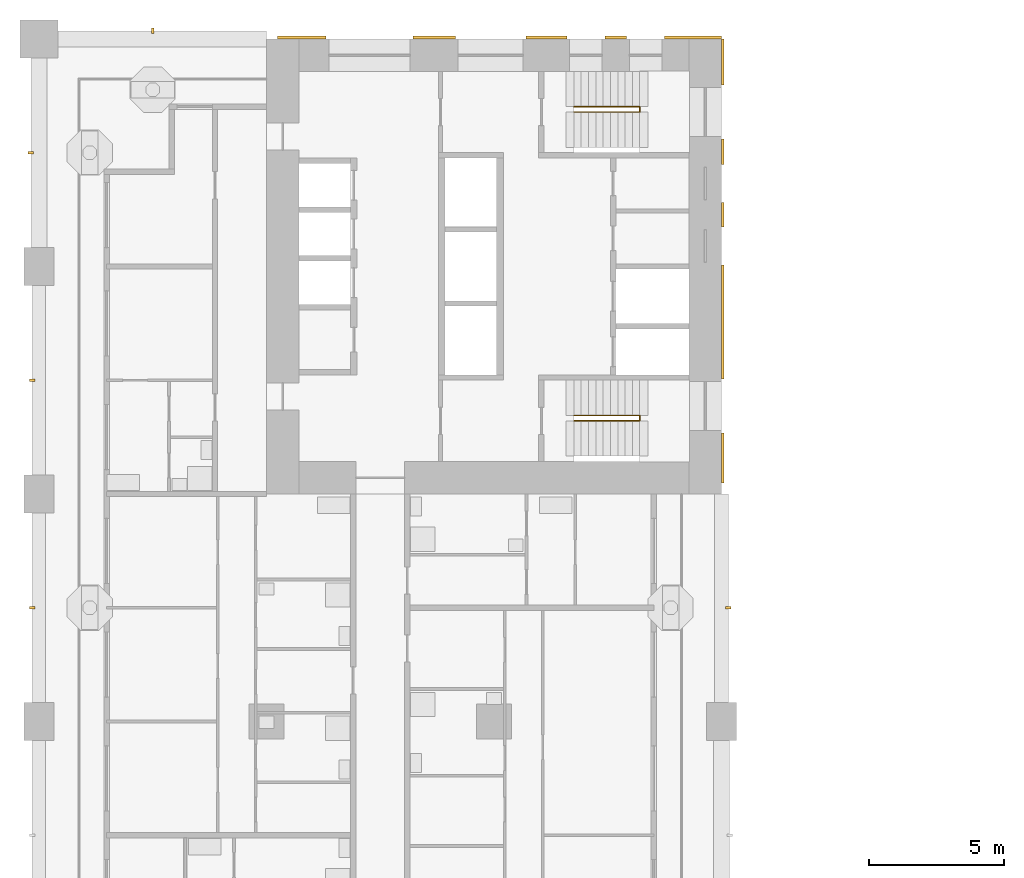
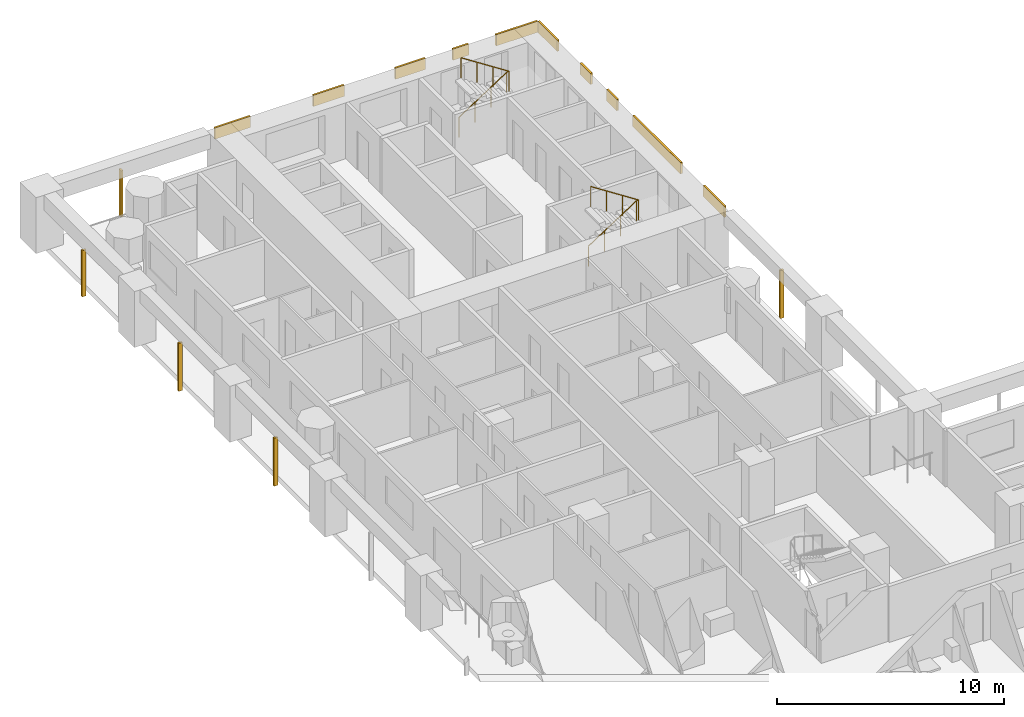
# One storey, part 16 of 21: 15 shading devices, 2 railings.
"""IFC4 building model written with IfcOpenShell, lengths in metres."""

from ifc_helpers import new_model, si_unit, direction, frame, origin, origin_2d, place, context, subcontext, project, spatial, rectangle, circle, extrude, material, layer, layer_set, material_profile, profile_set, type_object, element, save


model = new_model("IFC4")

# Units and contexts
model_context = context("Model", 3, precision=1e-05, world=origin(), true_north=direction((0.0, 1.0)))
body_context = subcontext(model_context, "Body", "Model", "MODEL_VIEW")
ifc_project = project(units=[si_unit("LENGTHUNIT", "METRE"), si_unit("AREAUNIT", "SQUARE_METRE"), si_unit("VOLUMEUNIT", "CUBIC_METRE"), si_unit("PLANEANGLEUNIT", "RADIAN"), si_unit("MASSUNIT", "GRAM", prefix="KILO")], contexts=[model_context])

# Site, building, storey
site_placement = place(None, origin())
site = spatial("IfcSite", under=ifc_project, at=site_placement, CompositionType="ELEMENT")
building_placement = place(site_placement, origin())
building = spatial("IfcBuilding", under=site, at=building_placement, Name="Vermilion Gate Residences", CompositionType="ELEMENT")
storey_placement = place(building_placement, frame((0.0, 0.0, 70.699951171875)))
storey = spatial("IfcBuildingStorey", under=building, at=storey_placement, Name="L17", CompositionType="ELEMENT", Elevation=70.699951171875)

# Railings
ifc_material_1 = material(Name="Steel S355", Category="steel")
railing_type = type_object("IfcRailingType", Name="STAIR GUARD 1100 STEEL", PredefinedType="GUARDRAIL", material=ifc_material_1)
for number, where, name in (
    (1, (19.75, 56.300048828125, 0.175048828125), "Stair well guard STB1-17"),
    (2, (19.75, 44.89990234375, 0.175048828125), "Stair well guard STB2-17"),
):
    element("IfcRailing", number, at=place(storey_placement, frame(where)), inside=storey, type_object=railing_type, Name=name, PredefinedType="GUARDRAIL", context=body_context, shape_type="SweptSolid", body=[
        extrude(circle(Radius=0.02392578125, at=origin_2d()), frame((0.0, 0.0, 1.076171875), z_axis=(0.839153699163, 0.0, 0.543894354798), x_axis=(0.0, 1.0, 0.0)), (0.0, 0.0, 1.0), 2.895751953125),
        extrude(circle(Radius=0.02392578125, at=origin_2d()), frame((2.429931640625, 0.0, 2.65087890625), z_axis=(0.0, -0.752405939678, 0.658699705433), x_axis=(1.0, 0.0, 0.0)), (0.0, 0.0, 1.0), 0.265869140625),
        extrude(circle(Radius=0.02392578125, at=origin_2d()), frame((2.429931640625, -0.199951171875, 2.826171875), z_axis=(-0.839153699163, 0.0, 0.543894354798), x_axis=(0.0, -1.0, 0.0)), (0.0, 0.0, 1.0), 2.895751953125),
        extrude(circle(Radius=0.02099609375, at=origin_2d()), origin(), (0.0, 0.0, 1.0), 1.052001953125),
        extrude(circle(Radius=0.02099609375, at=origin_2d()), frame((0.81005859375, 0.0, 0.52490234375)), (0.0, 0.0, 1.0), 1.052001953125),
        extrude(circle(Radius=0.02099609375, at=origin_2d()), frame((1.619873046875, 0.0, 1.050048828125)), (0.0, 0.0, 1.0), 1.052001953125),
        extrude(circle(Radius=0.02099609375, at=origin_2d()), frame((2.429931640625, 0.0, 1.574951171875)), (0.0, 0.0, 1.0), 1.052001953125),
        extrude(circle(Radius=0.02099609375, at=origin_2d()), frame((2.429931640625, -0.199951171875, 1.75)), (0.0, 0.0, 1.0), 1.052001953125),
        extrude(circle(Radius=0.02099609375, at=origin_2d()), frame((1.619873046875, -0.199951171875, 2.27490234375)), (0.0, 0.0, 1.0), 1.052001953125),
        extrude(circle(Radius=0.02099609375, at=origin_2d()), frame((0.81005859375, -0.199951171875, 2.800048828125)), (0.0, 0.0, 1.0), 1.052001953125),
        extrude(circle(Radius=0.02099609375, at=origin_2d()), frame((0.0, -0.199951171875, 3.324951171875)), (0.0, 0.0, 1.0), 1.052001953125),
    ])

# Shading devices
ifc_material_2 = material(Name="Extruded terracotta", Category="masonry")
ifc_material_profile = material_profile(ifc_material_2, rectangle(XDim=0.199951171875, YDim=0.10009765625, at=origin_2d()), Name="BAGUETTE 100 X 200")
ifc_profile_set = profile_set([ifc_material_profile], Name="Extruded terracotta")
shading_device_type_1 = type_object("IfcShadingDeviceType", Name="TERRACOTTA BAGUETTE 100 X 200", PredefinedType="JALOUSIE", material=ifc_profile_set)
shading_device_1_placement = place(storey_placement, frame((25.449951171875, 37.800048828125, -0.280029296875), z_axis=(0.0, 0.0, 1.0), x_axis=(-1.0, 0.0, 0.0)))
element("IfcShadingDevice", 3, at=shading_device_1_placement, inside=storey, type_object=shading_device_type_1, Name="BAGUETTE", PredefinedType="JALOUSIE", context=body_context, shape_type="SweptSolid", body=[
    extrude(rectangle(XDim=0.199951171875, YDim=0.10009765625, at=origin_2d()), origin(), (0.0, 0.0, 1.0), 2.580078125),
])
shading_device_2_placement = place(storey_placement, frame((4.199951171875, 59.10009765625, -0.280029296875), z_axis=(0.0, 0.0, 1.0), x_axis=(0.0, -1.0, 0.0)))
element("IfcShadingDevice", 4, at=shading_device_2_placement, inside=storey, type_object=shading_device_type_1, Name="BAGUETTE", PredefinedType="JALOUSIE", context=body_context, shape_type="SweptSolid", body=[
    extrude(rectangle(XDim=0.199951171875, YDim=0.10009765625, at=origin_2d()), origin(), (0.0, 0.0, 1.0), 2.47998046875),
])
for number, where, z_axis, x_axis, name in (
    (5, (-0.25, 37.800048828125, -0.280029296875), (0.0, 0.0, 1.0), (1.0, 0.0, 0.0), "BAGUETTE"),
    (6, (-0.25, 46.199951171875, -0.280029296875), (0.0, 0.0, 1.0), (1.0, 0.0, 0.0), "BAGUETTE"),
):
    element("IfcShadingDevice", number, at=place(storey_placement, frame(where, z_axis=z_axis, x_axis=x_axis)), inside=storey, type_object=shading_device_type_1, Name=name, PredefinedType="JALOUSIE", context=body_context, shape_type="SweptSolid", body=[
        extrude(rectangle(XDim=0.199951171875, YDim=0.10009765625, at=origin_2d()), origin(), (0.0, 0.0, 1.0), 2.580078125),
    ])
shading_device_3_placement = place(storey_placement, frame((-0.300048828125, 54.60009765625, -0.280029296875), z_axis=(0.0, 0.0, 1.0), x_axis=(1.0, 0.0, 0.0)))
element("IfcShadingDevice", 7, at=shading_device_3_placement, inside=storey, type_object=shading_device_type_1, Name="BAGUETTE", PredefinedType="JALOUSIE", context=body_context, shape_type="SweptSolid", body=[
    extrude(rectangle(XDim=0.199951171875, YDim=0.10009765625, at=origin_2d()), origin(), (0.0, 0.0, 1.0), 2.47998046875),
])
ifc_material_3 = material(Name="Extruded terracotta", Category="masonry")
ifc_layer = layer(ifc_material_3, 0.10009765625)
ifc_layer_set = layer_set([ifc_layer], Name="TERRACOTTA SPANDREL BAND 600 X 100")
shading_device_type_2 = type_object("IfcShadingDeviceType", Name="TERRACOTTA SPANDREL BAND 600 X 100", PredefinedType="USERDEFINED", material=ifc_layer_set)
shading_device_4_placement = place(storey_placement, frame((9.702392578125, 58.85009765625, 2.39990234375), z_axis=(0.0, 0.0, 1.0), x_axis=(1.0, 0.0, 0.0)))
element("IfcShadingDevice", 8, at=shading_device_4_placement, inside=storey, type_object=shading_device_type_2, Name="SPANDREL BAND", ObjectType="BAND", PredefinedType="USERDEFINED", context=body_context, shape_type="SweptSolid", body=[
    extrude(rectangle(XDim=1.804931640625, YDim=0.10009765625, at=origin_2d()), origin(), (0.0, 0.0, 1.0), 0.60009765625),
])
shading_device_5_placement = place(storey_placement, frame((14.590087890625, 58.85009765625, 2.39990234375), z_axis=(0.0, 0.0, 1.0), x_axis=(1.0, 0.0, 0.0)))
element("IfcShadingDevice", 9, at=shading_device_5_placement, inside=storey, type_object=shading_device_type_2, Name="SPANDREL BAND", ObjectType="BAND", PredefinedType="USERDEFINED", context=body_context, shape_type="SweptSolid", body=[
    extrude(rectangle(XDim=1.570068359375, YDim=0.10009765625, at=origin_2d()), origin(), (0.0, 0.0, 1.0), 0.60009765625),
])
shading_device_6_placement = place(storey_placement, frame((18.734130859375, 58.85009765625, 2.39990234375), z_axis=(0.0, 0.0, 1.0), x_axis=(1.0, 0.0, 0.0)))
element("IfcShadingDevice", 10, at=shading_device_6_placement, inside=storey, type_object=shading_device_type_2, Name="SPANDREL BAND", ObjectType="BAND", PredefinedType="USERDEFINED", context=body_context, shape_type="SweptSolid", body=[
    extrude(rectangle(XDim=1.518310546875, YDim=0.10009765625, at=origin_2d()), origin(), (0.0, 0.0, 1.0), 0.60009765625),
])
shading_device_7_placement = place(storey_placement, frame((21.294921875, 58.85009765625, 2.39990234375), z_axis=(0.0, 0.0, 1.0), x_axis=(1.0, 0.0, 0.0)))
element("IfcShadingDevice", 11, at=shading_device_7_placement, inside=storey, type_object=shading_device_type_2, Name="SPANDREL BAND", ObjectType="BAND", PredefinedType="USERDEFINED", context=body_context, shape_type="SweptSolid", body=[
    extrude(rectangle(XDim=0.803466796875, YDim=0.10009765625, at=origin_2d()), origin(), (0.0, 0.0, 1.0), 0.60009765625),
])
shading_device_8_placement = place(storey_placement, frame((24.1484375, 58.85009765625, 2.39990234375), z_axis=(0.0, 0.0, 1.0), x_axis=(1.0, 0.0, 0.0)))
element("IfcShadingDevice", 12, at=shading_device_8_placement, inside=storey, type_object=shading_device_type_2, Name="SPANDREL BAND", ObjectType="BAND", PredefinedType="USERDEFINED", context=body_context, shape_type="SweptSolid", body=[
    extrude(rectangle(XDim=2.103271484375, YDim=0.10009765625, at=origin_2d()), origin(), (0.0, 0.0, 1.0), 0.60009765625),
])
shading_device_9_placement = place(storey_placement, frame((25.25, 43.324951171875, 2.39990234375), z_axis=(0.0, 0.0, 1.0), x_axis=(0.0, 1.0, 0.0)))
element("IfcShadingDevice", 13, at=shading_device_9_placement, inside=storey, type_object=shading_device_type_2, Name="SPANDREL BAND", ObjectType="BAND", PredefinedType="USERDEFINED", context=body_context, shape_type="SweptSolid", body=[
    extrude(rectangle(XDim=1.85009765625, YDim=0.10009765625, at=origin_2d()), origin(), (0.0, 0.0, 1.0), 0.60009765625),
])
shading_device_10_placement = place(storey_placement, frame((25.25, 48.35009765625, 2.39990234375), z_axis=(0.0, 0.0, 1.0), x_axis=(0.0, 1.0, 0.0)))
element("IfcShadingDevice", 14, at=shading_device_10_placement, inside=storey, type_object=shading_device_type_2, Name="SPANDREL BAND", ObjectType="BAND", PredefinedType="USERDEFINED", context=body_context, shape_type="SweptSolid", body=[
    extrude(rectangle(XDim=4.199951171875, YDim=0.10009765625, at=origin_2d()), origin(), (0.0, 0.0, 1.0), 0.60009765625),
])
shading_device_11_placement = place(storey_placement, frame((25.25, 52.30615234375, 2.39990234375), z_axis=(0.0, 0.0, 1.0), x_axis=(0.0, 1.0, 0.0)))
element("IfcShadingDevice", 15, at=shading_device_11_placement, inside=storey, type_object=shading_device_type_2, Name="SPANDREL BAND", ObjectType="BAND", PredefinedType="USERDEFINED", context=body_context, shape_type="SweptSolid", body=[
    extrude(rectangle(XDim=0.91259765625, YDim=0.10009765625, at=origin_2d()), origin(), (0.0, 0.0, 1.0), 0.60009765625),
])
shading_device_12_placement = place(storey_placement, frame((25.25, 54.631103515625, 2.39990234375), z_axis=(0.0, 0.0, 1.0), x_axis=(0.0, 1.0, 0.0)))
element("IfcShadingDevice", 16, at=shading_device_12_placement, inside=storey, type_object=shading_device_type_2, Name="SPANDREL BAND", ObjectType="BAND", PredefinedType="USERDEFINED", context=body_context, shape_type="SweptSolid", body=[
    extrude(rectangle(XDim=0.9375, YDim=0.10009765625, at=origin_2d()), origin(), (0.0, 0.0, 1.0), 0.60009765625),
])
shading_device_13_placement = place(storey_placement, frame((25.25, 57.949951171875, 2.39990234375), z_axis=(0.0, 0.0, 1.0), x_axis=(0.0, 1.0, 0.0)))
element("IfcShadingDevice", 17, at=shading_device_13_placement, inside=storey, type_object=shading_device_type_2, Name="SPANDREL BAND", ObjectType="BAND", PredefinedType="USERDEFINED", context=body_context, shape_type="SweptSolid", body=[
    extrude(rectangle(XDim=1.699951171875, YDim=0.10009765625, at=origin_2d()), origin(), (0.0, 0.0, 1.0), 0.60009765625),
])

save(model, "model.ifc")
